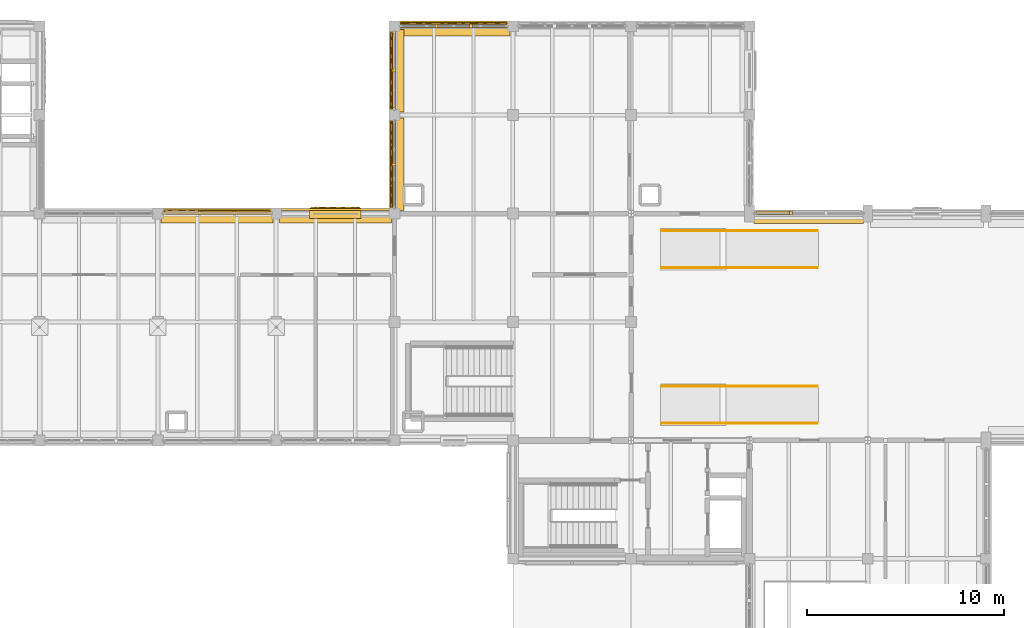
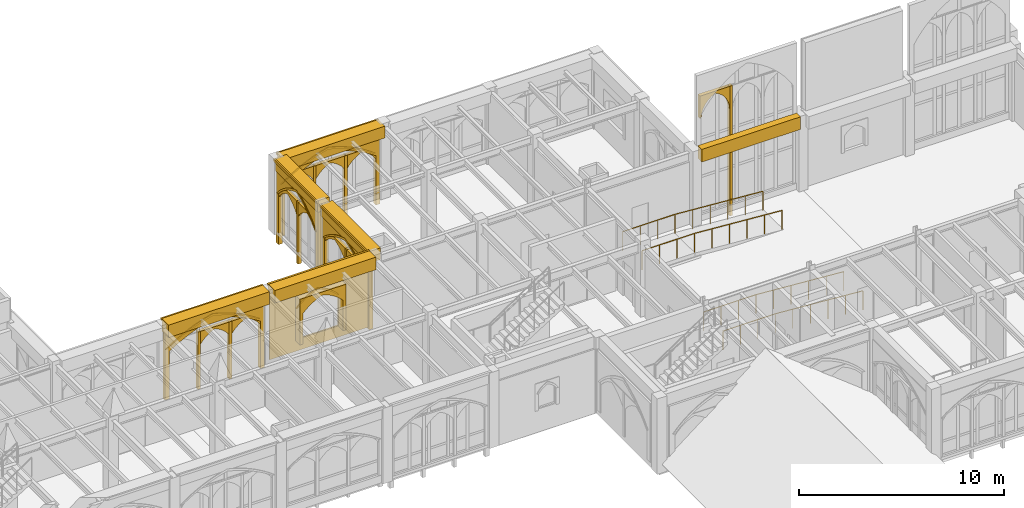
# One storey, part 94 of 108: 39 coverings, 4 railings.
"""IFC4 building model written with IfcOpenShell, lengths in metres."""

from ifc_helpers import new_model, si_unit, direction, frame, origin, origin_2d, place, context, subcontext, project, spatial, polyline, rectangle, circle, outline, extrude, material, type_object, element, save


model = new_model("IFC4")

# Units and contexts
model_context = context("Model", 3, precision=1e-05, world=origin(), true_north=direction((0.0, 1.0)))
body_context = subcontext(model_context, "Body", "Model", "MODEL_VIEW")
ifc_project = project(units=[si_unit("LENGTHUNIT", "METRE"), si_unit("AREAUNIT", "SQUARE_METRE"), si_unit("VOLUMEUNIT", "CUBIC_METRE"), si_unit("PLANEANGLEUNIT", "RADIAN"), si_unit("MASSUNIT", "GRAM", prefix="KILO")], contexts=[model_context])

# Site, building, storey
site_placement = place(None, origin())
site = spatial("IfcSite", under=ifc_project, at=site_placement, CompositionType="ELEMENT")
building_placement = place(site_placement, origin())
building = spatial("IfcBuilding", under=site, at=building_placement, Name="Cumevento Cable Car Station", CompositionType="ELEMENT")
storey_placement = place(building_placement, frame((0.0, 0.0, 13.5)))
storey = spatial("IfcBuildingStorey", under=building, at=storey_placement, Name="L04", CompositionType="ELEMENT", Elevation=13.5)

# Railings
ifc_material_1 = material(Name="Painted Galvanised Architectural Steel", Category="steel")
railing_type = type_object("IfcRailingType", Name="Stair Guardrail GR-S115", PredefinedType="GUARDRAIL", material=ifc_material_1)
for number, where, name in (
    (1, (65.550048828125, 45.860107421875, 0.360107421875), "Ramp Edge Guardrail RP-05 #200"),
    (2, (65.550048828125, 47.739990234375, 0.360107421875), "Ramp Edge Guardrail RP-05 #201"),
    (3, (65.550048828125, 53.760009765625, 0.360107421875), "Ramp Edge Guardrail RP-06 #202"),
    (4, (65.550048828125, 55.639892578125, 0.360107421875), "Ramp Edge Guardrail RP-06 #203"),
):
    element("IfcRailing", number, at=place(storey_placement, frame(where)), inside=storey, type_object=railing_type, Name=name, PredefinedType="GUARDRAIL", context=body_context, shape_type="SweptSolid", body=[
        extrude(circle(Radius=0.02392578125, at=origin_2d()), frame((0.0, 0.0, 1.1259765625), z_axis=(1.0, 0.0, 0.0), x_axis=(0.0, 1.0, 0.0)), (0.0, 0.0, 1.0), 2.949951171875),
        extrude(circle(Radius=0.02392578125, at=origin_2d()), frame((2.949951171875, 0.0, 1.1259765625), z_axis=(0.997364199091, 0.0, -0.072557938035), x_axis=(0.0, 1.0, 0.0)), (0.0, 0.0, 1.0), 4.963134765625),
        extrude(circle(Radius=0.02001953125, at=origin_2d()), origin(), (0.0, 0.0, 1.0), 1.101806640625),
        extrude(circle(Radius=0.02001953125, at=origin_2d()), frame((0.9833984375, 0.0, 0.0)), (0.0, 0.0, 1.0), 1.101806640625),
        extrude(circle(Radius=0.02001953125, at=origin_2d()), frame((1.966552734375, 0.0, 0.0)), (0.0, 0.0, 1.0), 1.101806640625),
        extrude(circle(Radius=0.02001953125, at=origin_2d()), frame((2.949951171875, 0.0, 0.0)), (0.0, 0.0, 1.0), 1.101806640625),
        extrude(circle(Radius=0.02001953125, at=origin_2d()), frame((3.93994140625, 0.0, -0.072021484375)), (0.0, 0.0, 1.0), 1.101806640625),
        extrude(circle(Radius=0.02001953125, at=origin_2d()), frame((4.929931640625, 0.0, -0.14404296875)), (0.0, 0.0, 1.0), 1.101806640625),
        extrude(circle(Radius=0.02001953125, at=origin_2d()), frame((5.919921875, 0.0, -0.216064453125)), (0.0, 0.0, 1.0), 1.101806640625),
        extrude(circle(Radius=0.02001953125, at=origin_2d()), frame((6.909912109375, 0.0, -0.2880859375)), (0.0, 0.0, 1.0), 1.101806640625),
        extrude(circle(Radius=0.02001953125, at=origin_2d()), frame((7.89990234375, 0.0, -0.360107421875)), (0.0, 0.0, 1.0), 1.101806640625),
    ])

# Coverings
ifc_material_2 = material(Name="Gnaisse Facoidal Stone Ashlar 85 MPa", Category="masonry")
covering_type = type_object("IfcCoveringType", Name="Gnaisse Ashlar Cladding CV-CL01", PredefinedType="CLADDING", material=ifc_material_2)
covering_1_placement = place(storey_placement, frame((43.0, 56.35009765625, 3.821044921875), z_axis=(0.0, 0.0, 1.0), x_axis=(1.0, 0.0, 0.0)))
element("IfcCovering", 5, at=covering_1_placement, inside=storey, type_object=covering_type, Name="Gothic Stone Spandrel Stringcourse sc:0722", PredefinedType="CLADDING", context=body_context, shape_type="SweptSolid", body=[
    extrude(rectangle(XDim=5.68994140625, YDim=0.659912109375, at=origin_2d()), origin(), (0.0, 0.0, 1.0), 0.7470703125),
])
covering_2_placement = place(storey_placement, frame((43.0, 56.70751953125, 4.43798828125), z_axis=(0.0, 0.0, 1.0), x_axis=(1.0, 0.0, 0.0)))
element("IfcCovering", 6, at=covering_2_placement, inside=storey, type_object=covering_type, Name="Gothic Cornice Dripstone Lip sc:0722", PredefinedType="CLADDING", context=body_context, shape_type="SweptSolid", body=[
    extrude(rectangle(XDim=5.72998046875, YDim=0.114990234375, at=origin_2d()), origin(), (0.0, 0.0, 1.0), 0.1298828125),
])
covering_3_placement = place(storey_placement, frame((49.0, 56.35009765625, 3.782958984375), z_axis=(0.0, 0.0, 1.0), x_axis=(1.0, 0.0, 0.0)))
element("IfcCovering", 7, at=covering_3_placement, inside=storey, type_object=covering_type, Name="Gothic Stone Spandrel Stringcourse sc:0723", PredefinedType="CLADDING", context=body_context, shape_type="SweptSolid", body=[
    extrude(rectangle(XDim=5.68994140625, YDim=0.659912109375, at=origin_2d()), origin(), (0.0, 0.0, 1.0), 0.7470703125),
])
covering_4_placement = place(storey_placement, frame((49.0, 56.70751953125, 4.400146484375), z_axis=(0.0, 0.0, 1.0), x_axis=(1.0, 0.0, 0.0)))
element("IfcCovering", 8, at=covering_4_placement, inside=storey, type_object=covering_type, Name="Gothic Cornice Dripstone Lip sc:0723", PredefinedType="CLADDING", context=body_context, shape_type="SweptSolid", body=[
    extrude(rectangle(XDim=5.72998046875, YDim=0.114990234375, at=origin_2d()), origin(), (0.0, 0.0, 1.0), 0.1298828125),
])
covering_5_placement = place(storey_placement, frame((73.0, 56.18994140625, 3.782958984375), z_axis=(0.0, 0.0, 1.0), x_axis=(1.0, 0.0, 0.0)))
element("IfcCovering", 9, at=covering_5_placement, inside=storey, type_object=covering_type, Name="Gothic Stone Spandrel Stringcourse sc:0734", PredefinedType="CLADDING", context=body_context, shape_type="SweptSolid", body=[
    extrude(rectangle(XDim=5.56005859375, YDim=0.3798828125, at=origin_2d()), origin(), (0.0, 0.0, 1.0), 0.7470703125),
])
covering_6_placement = place(storey_placement, frame((55.0, 65.85009765625, 3.783203125), z_axis=(0.0, 0.0, 1.0), x_axis=(1.0, 0.0, 0.0)))
element("IfcCovering", 10, at=covering_6_placement, inside=storey, type_object=covering_type, Name="Gothic Stone Spandrel Stringcourse sc:0744", PredefinedType="CLADDING", context=body_context, shape_type="SweptSolid", body=[
    extrude(rectangle(XDim=5.68994140625, YDim=0.659912109375, at=origin_2d()), origin(), (0.0, 0.0, 1.0), 0.697021484375),
])
covering_7_placement = place(storey_placement, frame((55.0, 66.20751953125, 4.35009765625), z_axis=(0.0, 0.0, 1.0), x_axis=(1.0, 0.0, 0.0)))
element("IfcCovering", 11, at=covering_7_placement, inside=storey, type_object=covering_type, Name="Gothic Cornice Dripstone Lip sc:0744", PredefinedType="CLADDING", context=body_context, shape_type="SweptSolid", body=[
    extrude(rectangle(XDim=5.72998046875, YDim=0.114990234375, at=origin_2d()), origin(), (0.0, 0.0, 1.0), 0.1298828125),
])
covering_8_placement = place(storey_placement, frame((52.14990234375, 59.0, 3.783203125), z_axis=(0.0, 0.0, 1.0), x_axis=(0.0, 1.0, 0.0)))
element("IfcCovering", 12, at=covering_8_placement, inside=storey, type_object=covering_type, Name="Gothic Stone Spandrel Stringcourse sc:0747", PredefinedType="CLADDING", context=body_context, shape_type="SweptSolid", body=[
    extrude(rectangle(XDim=4.68994140625, YDim=0.659912109375, at=origin_2d()), origin(), (0.0, 0.0, 1.0), 0.697021484375),
])
covering_9_placement = place(storey_placement, frame((51.79248046875, 59.0, 4.35009765625), z_axis=(0.0, 0.0, 1.0), x_axis=(0.0, 1.0, 0.0)))
element("IfcCovering", 13, at=covering_9_placement, inside=storey, type_object=covering_type, Name="Gothic Cornice Dripstone Lip sc:0747", PredefinedType="CLADDING", context=body_context, shape_type="SweptSolid", body=[
    extrude(rectangle(XDim=4.72998046875, YDim=0.114990234375, at=origin_2d()), origin(), (0.0, 0.0, 1.0), 0.1298828125),
])
covering_10_placement = place(storey_placement, frame((52.14990234375, 63.75, 3.783203125), z_axis=(0.0, 0.0, 1.0), x_axis=(0.0, 1.0, 0.0)))
element("IfcCovering", 14, at=covering_10_placement, inside=storey, type_object=covering_type, Name="Gothic Stone Spandrel Stringcourse sc:0748", PredefinedType="CLADDING", context=body_context, shape_type="SweptSolid", body=[
    extrude(rectangle(XDim=4.18994140625, YDim=0.659912109375, at=origin_2d()), origin(), (0.0, 0.0, 1.0), 0.697021484375),
])
covering_11_placement = place(storey_placement, frame((51.79248046875, 63.75, 4.35009765625), z_axis=(0.0, 0.0, 1.0), x_axis=(0.0, 1.0, 0.0)))
element("IfcCovering", 15, at=covering_11_placement, inside=storey, type_object=covering_type, Name="Gothic Cornice Dripstone Lip sc:0748", PredefinedType="CLADDING", context=body_context, shape_type="SweptSolid", body=[
    extrude(rectangle(XDim=4.22998046875, YDim=0.114990234375, at=origin_2d()), origin(), (0.0, 0.0, 1.0), 0.1298828125),
])
placement_1 = place(storey_placement, frame((40.27490234375, 56.5, -0.159912109375), z_axis=(0.0, 0.0, 1.0), x_axis=(1.0, 0.0, 0.0)))
element("IfcCovering", 16, at=placement_1, inside=storey, type_object=covering_type, Name="Gothic Ogival Pointed-Arch Stone Spandrel cw_ogival:0159", PredefinedType="CLADDING", context=body_context, shape_type="SweptSolid", body=[
    extrude(outline(polyline([(-0.080078125, 0.0), (-0.080078125, 4.12109375), (5.530029296875, 4.12109375), (5.530029296875, 0.0), (5.2900390625, 0.0), (5.2900390625, 2.8310546875), (4.993896484375, 3.018310546875), (4.689208984375, 3.19140625), (4.377197265625, 3.3505859375), (4.057861328125, 3.494873046875), (3.732421875, 3.62451171875), (3.4013671875, 3.73876953125), (3.065185546875, 3.837646484375), (2.72509765625, 3.921142578125), (2.384765625, 3.837646484375), (2.048583984375, 3.73876953125), (1.717529296875, 3.62451171875), (1.39208984375, 3.494873046875), (1.07275390625, 3.3505859375), (0.7607421875, 3.19140625), (0.4560546875, 3.018310546875), (0.159912109375, 2.8310546875), (0.159912109375, 0.0), (-0.080078125, 0.0)])), frame((0.0, 0.139892578125, 0.0), z_axis=(0.0, -1.0, 0.0), x_axis=(1.0, 0.0, 0.0)), (0.0, 0.0, 1.0), 0.219970703125),
])
covering_13_placement = place(storey_placement, frame((40.27490234375, 56.5, 2.6708984375), z_axis=(0.0, 0.0, 1.0), x_axis=(1.0, 0.0, 0.0)))
element("IfcCovering", 17, at=covering_13_placement, inside=storey, type_object=covering_type, Name="Gothic Pointed Archivolt Hood Moulding cw_ogival:0159", PredefinedType="CLADDING", context=body_context, shape_type="SweptSolid", body=[
    extrude(outline(polyline([(0.159912109375, 0.0), (0.4560546875, 0.187255859375), (0.7607421875, 0.3603515625), (1.07275390625, 0.51953125), (1.39208984375, 0.663818359375), (1.717529296875, 0.79345703125), (2.048583984375, 0.90771484375), (2.384765625, 1.006591796875), (2.72509765625, 1.090087890625), (3.065185546875, 1.006591796875), (3.4013671875, 0.90771484375), (3.732421875, 0.79345703125), (4.057861328125, 0.663818359375), (4.377197265625, 0.51953125), (4.689208984375, 0.3603515625), (4.993896484375, 0.187255859375), (5.2900390625, 0.0), (5.39990234375, 0.0), (5.094970703125, 0.210205078125), (4.780029296875, 0.40478515625), (4.4560546875, 0.583740234375), (4.123291015625, 0.74658203125), (3.783203125, 0.892578125), (3.43603515625, 1.021728515625), (3.0830078125, 1.13330078125), (2.72509765625, 1.2275390625), (2.366943359375, 1.13330078125), (2.013916015625, 1.021728515625), (1.666748046875, 0.892578125), (1.32666015625, 0.74658203125), (0.993896484375, 0.583740234375), (0.669921875, 0.40478515625), (0.35498046875, 0.210205078125), (0.050048828125, 0.0), (0.159912109375, 0.0)])), frame((0.0, 0.181884765625, 0.0), z_axis=(0.0, -1.0, 0.0), x_axis=(1.0, 0.0, 0.0)), (0.0, 0.0, 1.0), 0.06689453125),
])
element("IfcCovering", 18, at=placement_1, inside=storey, type_object=covering_type, Name="Gothic Bifora Stone Colonnette cw_ogival:0159 #1", PredefinedType="CLADDING", context=body_context, shape_type="SweptSolid", body=[
    extrude(outline(polyline([(1.77001953125, -0.02001953125), (1.919921875, -0.02001953125), (1.919921875, 3.397705078125), (1.77001953125, 3.397705078125), (1.77001953125, -0.02001953125)])), frame((0.0, 0.1279296875, 0.0), z_axis=(0.0, -1.0, 0.0), x_axis=(1.0, 0.0, 0.0)), (0.0, 0.0, 1.0), 0.205078125),
])
element("IfcCovering", 19, at=placement_1, inside=storey, type_object=covering_type, Name="Gothic Bifora Stone Colonnette cw_ogival:0159 #2", PredefinedType="CLADDING", context=body_context, shape_type="SweptSolid", body=[
    extrude(outline(polyline([(3.530029296875, -0.02001953125), (3.679931640625, -0.02001953125), (3.679931640625, 3.397705078125), (3.530029296875, 3.397705078125), (3.530029296875, -0.02001953125)])), frame((0.0, 0.1279296875, 0.0), z_axis=(0.0, -1.0, 0.0), x_axis=(1.0, 0.0, 0.0)), (0.0, 0.0, 1.0), 0.205078125),
])
for number, where, z_axis, x_axis, name in (
    (20, (42.1650390625, 56.5, 2.490966796875), (0.0, 0.0, 1.0), (1.0, 0.0, 0.0), "Gothic Ogival Pointed-Arch Stone Spandrel cw_ogival:0159:sub:1"),
    (21, (43.925048828125, 56.5, 2.490966796875), (0.0, 0.0, 1.0), (1.0, 0.0, 0.0), "Gothic Ogival Pointed-Arch Stone Spandrel cw_ogival:0159:sub:2"),
):
    element("IfcCovering", number, at=place(storey_placement, frame(where, z_axis=z_axis, x_axis=x_axis)), inside=storey, type_object=covering_type, Name=name, PredefinedType="CLADDING", context=body_context, shape_type="SweptSolid", body=[
        extrude(outline(polyline([(-0.02001953125, 0.0), (-0.02001953125, 0.746826171875), (1.68994140625, 0.746826171875), (1.68994140625, 0.0), (1.6298828125, 0.0), (1.526611328125, 0.13671875), (1.409912109375, 0.26220703125), (1.281005859375, 0.375), (1.14111328125, 0.473876953125), (0.991943359375, 0.558349609375), (0.8349609375, 0.626708984375), (0.677978515625, 0.558349609375), (0.52880859375, 0.473876953125), (0.388916015625, 0.375), (0.260009765625, 0.26220703125), (0.143310546875, 0.13671875), (0.0400390625, 0.0), (-0.02001953125, 0.0)])), frame((0.0, 0.1240234375, 0.0), z_axis=(0.0, -1.0, 0.0), x_axis=(1.0, 0.0, 0.0)), (0.0, 0.0, 1.0), 0.199951171875),
    ])
covering_16_placement = place(storey_placement, frame((70.25, 56.5, -0.320068359375), z_axis=(0.0, 0.0, 1.0), x_axis=(1.0, 0.0, 0.0)))
element("IfcCovering", 22, at=covering_16_placement, inside=storey, type_object=covering_type, Name="Gothic Bifora Stone Colonnette cw_ogival:0164 #1", PredefinedType="CLADDING", context=body_context, shape_type="SweptSolid", body=[
    extrude(outline(polyline([(1.78662109375, -0.02001953125), (1.936767578125, -0.02001953125), (1.936767578125, 7.72265625), (1.78662109375, 7.72265625), (1.78662109375, -0.02001953125)])), frame((0.0, 0.1279296875, 0.0), z_axis=(0.0, -1.0, 0.0), x_axis=(1.0, 0.0, 0.0)), (0.0, 0.0, 1.0), 0.205078125),
])
covering_17_placement = place(storey_placement, frame((70.3798828125, 56.5, 6.06298828125), z_axis=(0.0, 0.0, 1.0), x_axis=(1.0, 0.0, 0.0)))
element("IfcCovering", 23, at=covering_17_placement, inside=storey, type_object=covering_type, Name="Gothic Ogival Pointed-Arch Stone Spandrel cw_ogival:0164:sub:0", PredefinedType="CLADDING", context=body_context, shape_type="SweptSolid", body=[
    extrude(outline(polyline([(-0.02001953125, 0.0), (-0.02001953125, 1.339599609375), (1.706787109375, 1.339599609375), (1.706787109375, 0.0), (1.646728515625, 0.0), (1.621826171875, 0.256103515625), (1.5478515625, 0.502685546875), (1.427978515625, 0.730224609375), (1.26611328125, 0.930419921875), (1.06884765625, 1.095458984375), (0.84326171875, 1.219482421875), (0.617919921875, 1.095458984375), (0.420654296875, 0.930419921875), (0.2587890625, 0.730224609375), (0.138916015625, 0.502685546875), (0.06494140625, 0.256103515625), (0.0400390625, 0.0), (-0.02001953125, 0.0)])), frame((0.0, 0.1240234375, 0.0), z_axis=(0.0, -1.0, 0.0), x_axis=(1.0, 0.0, 0.0)), (0.0, 0.0, 1.0), 0.199951171875),
])
placement_2 = place(storey_placement, frame((52.27490234375, 66.0, -0.3701171875), z_axis=(0.0, 0.0, 1.0), x_axis=(1.0, 0.0, 0.0)))
element("IfcCovering", 24, at=placement_2, inside=storey, type_object=covering_type, Name="Gothic Ogival Pointed-Arch Stone Spandrel cw_ogival:0171", PredefinedType="CLADDING", context=body_context, shape_type="SweptSolid", body=[
    extrude(outline(polyline([(-0.080078125, 0.0), (-0.080078125, 4.29296875), (5.530029296875, 4.29296875), (5.530029296875, 0.0), (5.2900390625, 0.0), (5.2900390625, 2.941162109375), (4.99658203125, 3.138427734375), (4.69384765625, 3.3212890625), (4.382568359375, 3.4892578125), (4.0634765625, 3.64208984375), (3.737548828125, 3.779052734375), (3.4052734375, 3.900146484375), (3.0673828125, 4.0048828125), (2.72509765625, 4.093017578125), (2.382568359375, 4.0048828125), (2.044677734375, 3.900146484375), (1.71240234375, 3.779052734375), (1.386474609375, 3.64208984375), (1.0673828125, 3.4892578125), (0.756103515625, 3.3212890625), (0.453369140625, 3.138427734375), (0.159912109375, 2.941162109375), (0.159912109375, 0.0), (-0.080078125, 0.0)])), frame((0.0, 0.139892578125, 0.0), z_axis=(0.0, -1.0, 0.0), x_axis=(1.0, 0.0, 0.0)), (0.0, 0.0, 1.0), 0.219970703125),
])
covering_19_placement = place(storey_placement, frame((52.27490234375, 66.0, 2.571044921875), z_axis=(0.0, 0.0, 1.0), x_axis=(1.0, 0.0, 0.0)))
element("IfcCovering", 25, at=covering_19_placement, inside=storey, type_object=covering_type, Name="Gothic Pointed Archivolt Hood Moulding cw_ogival:0171", PredefinedType="CLADDING", context=body_context, shape_type="SweptSolid", body=[
    extrude(outline(polyline([(0.159912109375, 0.0), (0.453369140625, 0.197265625), (0.756103515625, 0.380126953125), (1.0673828125, 0.548095703125), (1.386474609375, 0.700927734375), (1.71240234375, 0.837890625), (2.044677734375, 0.958984375), (2.382568359375, 1.063720703125), (2.72509765625, 1.15185546875), (3.0673828125, 1.063720703125), (3.4052734375, 0.958984375), (3.737548828125, 0.837890625), (4.0634765625, 0.700927734375), (4.382568359375, 0.548095703125), (4.69384765625, 0.380126953125), (4.99658203125, 0.197265625), (5.2900390625, 0.0), (5.39990234375, 0.0), (5.097900390625, 0.22021484375), (4.784912109375, 0.424560546875), (4.461669921875, 0.6123046875), (4.12939453125, 0.783447265625), (3.78857421875, 0.93701171875), (3.440185546875, 1.07275390625), (3.08544921875, 1.190185546875), (2.72509765625, 1.289306640625), (2.364501953125, 1.190185546875), (2.009765625, 1.07275390625), (1.661376953125, 0.93701171875), (1.320556640625, 0.783447265625), (0.98828125, 0.6123046875), (0.6650390625, 0.424560546875), (0.35205078125, 0.22021484375), (0.050048828125, 0.0), (0.159912109375, 0.0)])), frame((0.0, 0.181884765625, 0.0), z_axis=(0.0, -1.0, 0.0), x_axis=(1.0, 0.0, 0.0)), (0.0, 0.0, 1.0), 0.06689453125),
])
element("IfcCovering", 26, at=placement_2, inside=storey, type_object=covering_type, Name="Gothic Bifora Stone Colonnette cw_ogival:0171 #1", PredefinedType="CLADDING", context=body_context, shape_type="SweptSolid", body=[
    extrude(outline(polyline([(1.77001953125, -0.02001953125), (1.919921875, -0.02001953125), (1.919921875, 3.5400390625), (1.77001953125, 3.5400390625), (1.77001953125, -0.02001953125)])), frame((0.0, 0.1279296875, 0.0), z_axis=(0.0, -1.0, 0.0), x_axis=(1.0, 0.0, 0.0)), (0.0, 0.0, 1.0), 0.205078125),
])
element("IfcCovering", 27, at=placement_2, inside=storey, type_object=covering_type, Name="Gothic Bifora Stone Colonnette cw_ogival:0171 #2", PredefinedType="CLADDING", context=body_context, shape_type="SweptSolid", body=[
    extrude(outline(polyline([(3.530029296875, -0.02001953125), (3.679931640625, -0.02001953125), (3.679931640625, 3.5400390625), (3.530029296875, 3.5400390625), (3.530029296875, -0.02001953125)])), frame((0.0, 0.1279296875, 0.0), z_axis=(0.0, -1.0, 0.0), x_axis=(1.0, 0.0, 0.0)), (0.0, 0.0, 1.0), 0.205078125),
])
for number, where, z_axis, x_axis, name in (
    (28, (52.405029296875, 66.0, 2.39111328125), (0.0, 0.0, 1.0), (1.0, 0.0, 0.0), "Gothic Ogival Pointed-Arch Stone Spandrel cw_ogival:0171:sub:0"),
    (29, (54.1650390625, 66.0, 2.39111328125), (0.0, 0.0, 1.0), (1.0, 0.0, 0.0), "Gothic Ogival Pointed-Arch Stone Spandrel cw_ogival:0171:sub:1"),
    (30, (55.925048828125, 66.0, 2.39111328125), (0.0, 0.0, 1.0), (1.0, 0.0, 0.0), "Gothic Ogival Pointed-Arch Stone Spandrel cw_ogival:0171:sub:2"),
):
    element("IfcCovering", number, at=place(storey_placement, frame(where, z_axis=z_axis, x_axis=x_axis)), inside=storey, type_object=covering_type, Name=name, PredefinedType="CLADDING", context=body_context, shape_type="SweptSolid", body=[
        extrude(outline(polyline([(-0.02001953125, 0.0), (-0.02001953125, 0.779052734375), (1.68994140625, 0.779052734375), (1.68994140625, 0.0), (1.6298828125, 0.0), (1.529296875, 0.14306640625), (1.413818359375, 0.274658203125), (1.285400390625, 0.393310546875), (1.144775390625, 0.49755859375), (0.994140625, 0.586669921875), (0.8349609375, 0.658935546875), (0.67578125, 0.586669921875), (0.525146484375, 0.49755859375), (0.384521484375, 0.393310546875), (0.256103515625, 0.274658203125), (0.140625, 0.14306640625), (0.0400390625, 0.0), (-0.02001953125, 0.0)])), frame((0.0, 0.1240234375, 0.0), z_axis=(0.0, -1.0, 0.0), x_axis=(1.0, 0.0, 0.0)), (0.0, 0.0, 1.0), 0.199951171875),
    ])
placement_3 = place(storey_placement, frame((52.0, 56.77490234375, -0.219970703125), z_axis=(0.0, 0.0, 1.0), x_axis=(0.0, 1.0, 0.0)))
element("IfcCovering", 31, at=placement_3, inside=storey, type_object=covering_type, Name="Gothic Ogival Pointed-Arch Stone Spandrel cw_ogival:0174", PredefinedType="CLADDING", context=body_context, shape_type="SweptSolid", body=[
    extrude(outline(polyline([(-0.080078125, 0.0), (-0.080078125, 4.14306640625), (4.530029296875, 4.14306640625), (4.530029296875, 0.0), (4.2900390625, 0.0), (4.2900390625, 2.84521484375), (4.061767578125, 3.031494140625), (3.823486328125, 3.205078125), (3.57568359375, 3.364990234375), (3.3193359375, 3.510498046875), (3.055419921875, 3.6416015625), (2.784423828125, 3.7578125), (2.50732421875, 3.85791015625), (2.22509765625, 3.943115234375), (1.942626953125, 3.85791015625), (1.66552734375, 3.7578125), (1.39453125, 3.6416015625), (1.130615234375, 3.510498046875), (0.874267578125, 3.364990234375), (0.62646484375, 3.205078125), (0.38818359375, 3.031494140625), (0.159912109375, 2.84521484375), (0.159912109375, 0.0), (-0.080078125, 0.0)])), frame((0.0, 0.139892578125, 0.0), z_axis=(0.0, -1.0, 0.0), x_axis=(1.0, 0.0, 0.0)), (0.0, 0.0, 1.0), 0.219970703125),
])
covering_23_placement = place(storey_placement, frame((52.0, 56.77490234375, 2.625), z_axis=(0.0, 0.0, 1.0), x_axis=(0.0, 1.0, 0.0)))
element("IfcCovering", 32, at=covering_23_placement, inside=storey, type_object=covering_type, Name="Gothic Pointed Archivolt Hood Moulding cw_ogival:0174", PredefinedType="CLADDING", context=body_context, shape_type="SweptSolid", body=[
    extrude(outline(polyline([(0.159912109375, 0.0), (0.38818359375, 0.1865234375), (0.62646484375, 0.360107421875), (0.874267578125, 0.519775390625), (1.130615234375, 0.66552734375), (1.39453125, 0.79638671875), (1.66552734375, 0.91259765625), (1.942626953125, 1.012939453125), (2.22509765625, 1.097900390625), (2.50732421875, 1.012939453125), (2.784423828125, 0.91259765625), (3.055419921875, 0.79638671875), (3.3193359375, 0.66552734375), (3.57568359375, 0.519775390625), (3.823486328125, 0.360107421875), (4.061767578125, 0.1865234375), (4.2900390625, 0.0), (4.39990234375, 0.0), (4.16357421875, 0.209228515625), (3.915283203125, 0.40380859375), (3.65576171875, 0.58349609375), (3.38623046875, 0.74755859375), (3.107177734375, 0.895263671875), (2.820068359375, 1.02587890625), (2.525634765625, 1.1396484375), (2.22509765625, 1.2353515625), (1.92431640625, 1.1396484375), (1.6298828125, 1.02587890625), (1.3427734375, 0.895263671875), (1.063720703125, 0.74755859375), (0.794189453125, 0.58349609375), (0.53466796875, 0.40380859375), (0.286376953125, 0.209228515625), (0.050048828125, 0.0), (0.159912109375, 0.0)])), frame((0.0, 0.181884765625, 0.0), z_axis=(0.0, -1.0, 0.0), x_axis=(1.0, 0.0, 0.0)), (0.0, 0.0, 1.0), 0.06689453125),
])
element("IfcCovering", 33, at=placement_3, inside=storey, type_object=covering_type, Name="Gothic Bifora Stone Colonnette cw_ogival:0174 #1", PredefinedType="CLADDING", context=body_context, shape_type="SweptSolid", body=[
    extrude(outline(polyline([(2.14990234375, -0.02001953125), (2.300048828125, -0.02001953125), (2.300048828125, 3.416015625), (2.14990234375, 3.416015625), (2.14990234375, -0.02001953125)])), frame((0.0, 0.1279296875, 0.0), z_axis=(0.0, -1.0, 0.0), x_axis=(1.0, 0.0, 0.0)), (0.0, 0.0, 1.0), 0.205078125),
])
for number, where, z_axis, x_axis, name in (
    (34, (52.0, 56.905029296875, 2.445068359375), (0.0, 0.0, 1.0), (0.0, 1.0, 0.0), "Gothic Ogival Pointed-Arch Stone Spandrel cw_ogival:0174:sub:0"),
    (35, (52.0, 59.044921875, 2.445068359375), (0.0, 0.0, 1.0), (0.0, 1.0, 0.0), "Gothic Ogival Pointed-Arch Stone Spandrel cw_ogival:0174:sub:1"),
):
    element("IfcCovering", number, at=place(storey_placement, frame(where, z_axis=z_axis, x_axis=x_axis)), inside=storey, type_object=covering_type, Name=name, PredefinedType="CLADDING", context=body_context, shape_type="SweptSolid", body=[
        extrude(outline(polyline([(-0.02001953125, 0.0), (-0.02001953125, 0.7509765625), (2.070068359375, 0.7509765625), (2.070068359375, 0.0), (2.010009765625, 0.0), (1.87109375, 0.1396484375), (1.72021484375, 0.266845703125), (1.55908203125, 0.38037109375), (1.388671875, 0.479248046875), (1.210205078125, 0.56298828125), (1.02490234375, 0.630859375), (0.83984375, 0.56298828125), (0.661376953125, 0.479248046875), (0.490966796875, 0.38037109375), (0.329833984375, 0.266845703125), (0.178955078125, 0.1396484375), (0.0400390625, 0.0), (-0.02001953125, 0.0)])), frame((0.0, 0.1240234375, 0.0), z_axis=(0.0, -1.0, 0.0), x_axis=(1.0, 0.0, 0.0)), (0.0, 0.0, 1.0), 0.199951171875),
    ])
placement_4 = place(storey_placement, frame((52.0, 61.77490234375, -0.52001953125), z_axis=(0.0, 0.0, 1.0), x_axis=(0.0, 1.0, 0.0)))
element("IfcCovering", 36, at=placement_4, inside=storey, type_object=covering_type, Name="Gothic Ogival Pointed-Arch Stone Spandrel cw_ogival:0176", PredefinedType="CLADDING", context=body_context, shape_type="SweptSolid", body=[
    extrude(outline(polyline([(-0.080078125, 0.0), (-0.080078125, 4.443115234375), (4.030029296875, 4.443115234375), (4.030029296875, 0.0), (3.7900390625, 0.0), (3.7900390625, 3.037109375), (3.602294921875, 3.239013671875), (3.401611328125, 3.427978515625), (3.188720703125, 3.60302734375), (2.96435546875, 3.76318359375), (2.729736328125, 3.907958984375), (2.48583984375, 4.03662109375), (2.23388671875, 4.1484375), (1.97509765625, 4.242919921875), (1.716064453125, 4.1484375), (1.464111328125, 4.03662109375), (1.22021484375, 3.907958984375), (0.985595703125, 3.76318359375), (0.76123046875, 3.60302734375), (0.54833984375, 3.427978515625), (0.34765625, 3.239013671875), (0.159912109375, 3.037109375), (0.159912109375, 0.0), (-0.080078125, 0.0)])), frame((0.0, 0.139892578125, 0.0), z_axis=(0.0, -1.0, 0.0), x_axis=(1.0, 0.0, 0.0)), (0.0, 0.0, 1.0), 0.219970703125),
])
covering_26_placement = place(storey_placement, frame((52.0, 61.77490234375, 2.51708984375), z_axis=(0.0, 0.0, 1.0), x_axis=(0.0, 1.0, 0.0)))
element("IfcCovering", 37, at=covering_26_placement, inside=storey, type_object=covering_type, Name="Gothic Pointed Archivolt Hood Moulding cw_ogival:0176", PredefinedType="CLADDING", context=body_context, shape_type="SweptSolid", body=[
    extrude(outline(polyline([(0.159912109375, 0.0), (0.34765625, 0.201904296875), (0.54833984375, 0.390869140625), (0.76123046875, 0.56591796875), (0.985595703125, 0.72607421875), (1.22021484375, 0.870849609375), (1.464111328125, 0.99951171875), (1.716064453125, 1.111328125), (1.97509765625, 1.205810546875), (2.23388671875, 1.111328125), (2.48583984375, 0.99951171875), (2.729736328125, 0.870849609375), (2.96435546875, 0.72607421875), (3.188720703125, 0.56591796875), (3.401611328125, 0.390869140625), (3.602294921875, 0.201904296875), (3.7900390625, 0.0), (3.89990234375, 0.0), (3.704833984375, 0.22412109375), (3.494384765625, 0.43408203125), (3.269775390625, 0.62890625), (3.0322265625, 0.807373046875), (2.78271484375, 0.968994140625), (2.5224609375, 1.112548828125), (2.252685546875, 1.237548828125), (1.97509765625, 1.343505859375), (1.697265625, 1.237548828125), (1.427490234375, 1.112548828125), (1.167236328125, 0.968994140625), (0.917724609375, 0.807373046875), (0.68017578125, 0.62890625), (0.45556640625, 0.43408203125), (0.2451171875, 0.22412109375), (0.050048828125, 0.0), (0.159912109375, 0.0)])), frame((0.0, 0.181884765625, 0.0), z_axis=(0.0, -1.0, 0.0), x_axis=(1.0, 0.0, 0.0)), (0.0, 0.0, 1.0), 0.06689453125),
])
element("IfcCovering", 38, at=placement_4, inside=storey, type_object=covering_type, Name="Gothic Bifora Stone Colonnette cw_ogival:0176 #1", PredefinedType="CLADDING", context=body_context, shape_type="SweptSolid", body=[
    extrude(outline(polyline([(1.89990234375, -0.02001953125), (2.050048828125, -0.02001953125), (2.050048828125, 3.664306640625), (1.89990234375, 3.664306640625), (1.89990234375, -0.02001953125)])), frame((0.0, 0.1279296875, 0.0), z_axis=(0.0, -1.0, 0.0), x_axis=(1.0, 0.0, 0.0)), (0.0, 0.0, 1.0), 0.205078125),
])
for number, where, z_axis, x_axis, name in (
    (39, (52.0, 61.905029296875, 2.337158203125), (0.0, 0.0, 1.0), (0.0, 1.0, 0.0), "Gothic Ogival Pointed-Arch Stone Spandrel cw_ogival:0176:sub:0"),
    (40, (52.0, 63.794921875, 2.337158203125), (0.0, 0.0, 1.0), (0.0, 1.0, 0.0), "Gothic Ogival Pointed-Arch Stone Spandrel cw_ogival:0176:sub:1"),
):
    element("IfcCovering", number, at=place(storey_placement, frame(where, z_axis=z_axis, x_axis=x_axis)), inside=storey, type_object=covering_type, Name=name, PredefinedType="CLADDING", context=body_context, shape_type="SweptSolid", body=[
        extrude(outline(polyline([(-0.02001953125, 0.0), (-0.02001953125, 0.80712890625), (1.820068359375, 0.80712890625), (1.820068359375, 0.0), (1.760009765625, 0.0), (1.64892578125, 0.149658203125), (1.523193359375, 0.287109375), (1.3837890625, 0.41064453125), (1.232421875, 0.519287109375), (1.070556640625, 0.61181640625), (0.89990234375, 0.68701171875), (0.7294921875, 0.61181640625), (0.567626953125, 0.519287109375), (0.416259765625, 0.41064453125), (0.27685546875, 0.287109375), (0.151123046875, 0.149658203125), (0.0400390625, 0.0), (-0.02001953125, 0.0)])), frame((0.0, 0.1240234375, 0.0), z_axis=(0.0, -1.0, 0.0), x_axis=(1.0, 0.0, 0.0)), (0.0, 0.0, 1.0), 0.199951171875),
    ])
covering_28_placement = place(storey_placement, frame((46.27490234375, 56.5, 0.0), z_axis=(0.0, 0.0, 1.0), x_axis=(1.0, 0.0, 0.0)))
element("IfcCovering", 41, at=covering_28_placement, inside=storey, type_object=covering_type, Name="Exterior Gnaisse Stone Wall Ashlar #271", PredefinedType="CLADDING", context=body_context, shape_type="SweptSolid", body=[
    extrude(outline(polyline([(-0.0400390625, -0.02001953125), (5.489990234375, -0.02001953125), (5.489990234375, 3.863037109375), (-0.0400390625, 3.863037109375), (-0.0400390625, -0.02001953125)]), holes=[polyline([(1.610107421875, 0.659912109375), (3.840087890625, 0.659912109375), (3.840087890625, 3.090087890625), (1.610107421875, 3.090087890625), (1.610107421875, 0.659912109375)])]), frame((0.0, 0.25244140625, 0.0), z_axis=(0.0, -1.0, 0.0), x_axis=(1.0, 0.0, 0.0)), (0.0, 0.0, 1.0), 0.0849609375),
])
covering_29_placement = place(storey_placement, frame((47.735107421875, 56.5, 0.60009765625), z_axis=(0.0, 0.0, 1.0), x_axis=(1.0, 0.0, 0.0)))
element("IfcCovering", 42, at=covering_29_placement, inside=storey, type_object=covering_type, Name="Gothic Ogival Pointed-Arch Stone Spandrel op_ogival:0271:1", PredefinedType="CLADDING", context=body_context, shape_type="SweptSolid", body=[
    extrude(outline(polyline([(-0.0400390625, 0.0), (-0.0400390625, 2.719970703125), (2.570068359375, 2.719970703125), (2.570068359375, 0.0), (2.389892578125, 0.0), (2.389892578125, 1.820068359375), (2.254638671875, 1.957763671875), (2.109619140625, 2.084716796875), (1.955322265625, 2.20068359375), (1.792724609375, 2.3046875), (1.622802734375, 2.396240234375), (1.446533203125, 2.474853515625), (1.264892578125, 2.5400390625), (1.08349609375, 2.474853515625), (0.9072265625, 2.396240234375), (0.7373046875, 2.3046875), (0.57470703125, 2.20068359375), (0.42041015625, 2.084716796875), (0.275390625, 1.957763671875), (0.139892578125, 1.820068359375), (0.139892578125, 0.0), (-0.0400390625, 0.0)])), frame((0.0, 0.29052734375, 0.0), z_axis=(0.0, -1.0, 0.0), x_axis=(1.0, 0.0, 0.0)), (0.0, 0.0, 1.0), 0.534912109375),
])
covering_30_placement = place(storey_placement, frame((47.735107421875, 56.5, 2.419921875), z_axis=(0.0, 0.0, 1.0), x_axis=(1.0, 0.0, 0.0)))
element("IfcCovering", 43, at=covering_30_placement, inside=storey, type_object=covering_type, Name="Gothic Pointed Archivolt Hood Moulding op_ogival:0271:1", PredefinedType="CLADDING", context=body_context, shape_type="SweptSolid", body=[
    extrude(outline(polyline([(0.139892578125, 0.0), (0.275390625, 0.1376953125), (0.42041015625, 0.2646484375), (0.57470703125, 0.380615234375), (0.7373046875, 0.484619140625), (0.9072265625, 0.576171875), (1.08349609375, 0.65478515625), (1.264892578125, 0.719970703125), (1.446533203125, 0.65478515625), (1.622802734375, 0.576171875), (1.792724609375, 0.484619140625), (1.955322265625, 0.380615234375), (2.109619140625, 0.2646484375), (2.254638671875, 0.1376953125), (2.389892578125, 0.0), (2.489013671875, 0.0), (2.345703125, 0.160400390625), (2.190185546875, 0.308837890625), (2.023193359375, 0.444580078125), (1.84619140625, 0.566650390625), (1.659912109375, 0.67431640625), (1.4658203125, 0.766845703125), (1.264892578125, 0.84375), (1.064208984375, 0.766845703125), (0.8701171875, 0.67431640625), (0.683837890625, 0.566650390625), (0.5068359375, 0.444580078125), (0.33984375, 0.308837890625), (0.184326171875, 0.160400390625), (0.041015625, 0.0), (0.139892578125, 0.0)])), frame((0.0, 0.33251953125, 0.0), z_axis=(0.0, -1.0, 0.0), x_axis=(1.0, 0.0, 0.0)), (0.0, 0.0, 1.0), 0.06689453125),
])

save(model, "model.ifc")
